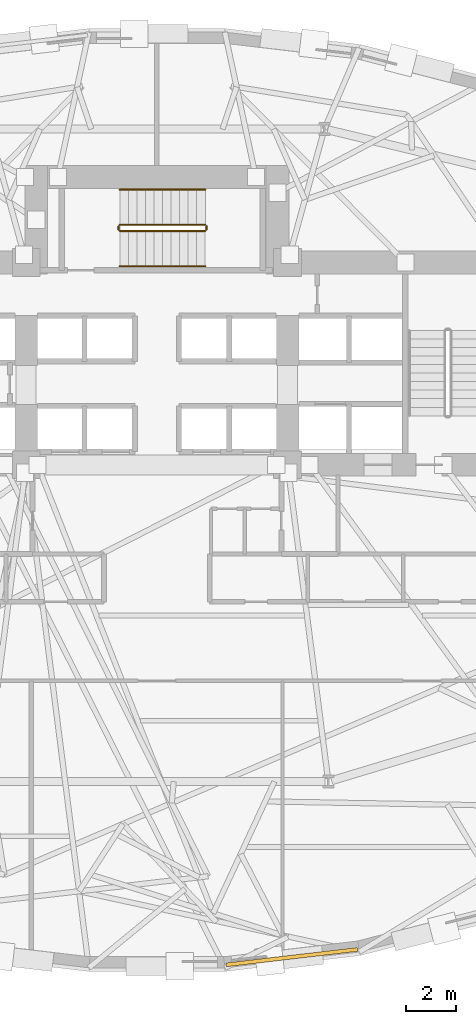
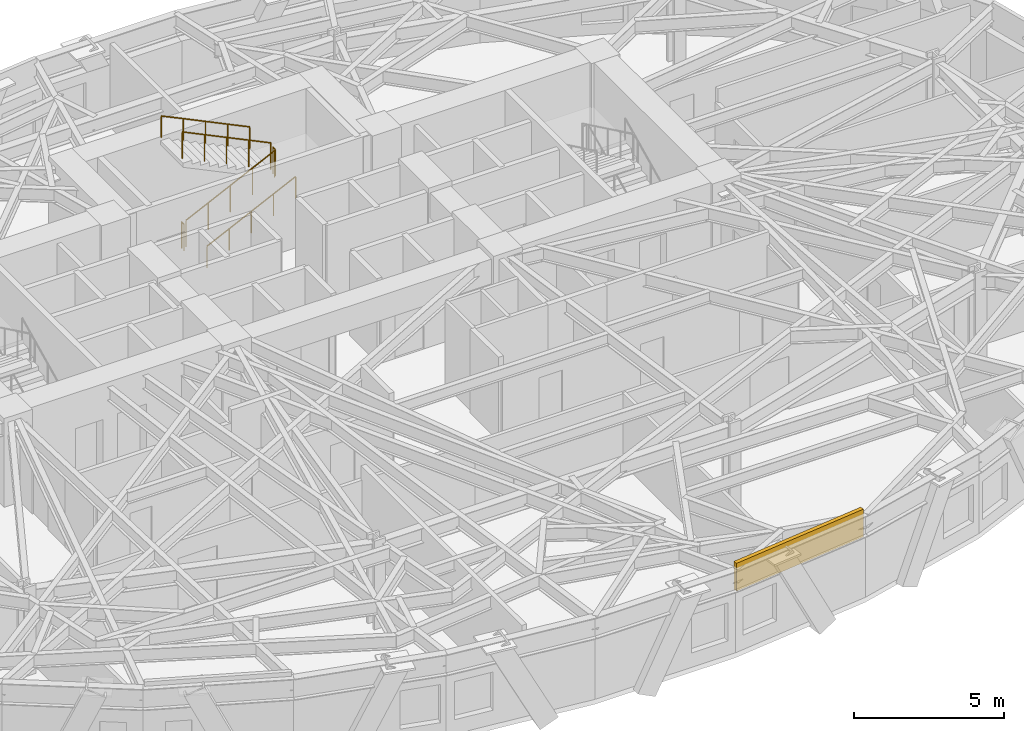
# One storey, part 12 of 14: 6 railings, 1 covering.
"""IFC4 building model written with IfcOpenShell, lengths in metres."""

from ifc_helpers import new_model, si_unit, direction, frame, origin, origin_2d, place, context, subcontext, project, spatial, rectangle, circle, extrude, material, layer, layer_set, type_object, element, save


model = new_model("IFC4")

# Units and contexts
model_context = context("Model", 3, precision=1e-05, world=origin(), true_north=direction((0.0, 1.0)))
body_context = subcontext(model_context, "Body", "Model", "MODEL_VIEW")
ifc_project = project(units=[si_unit("LENGTHUNIT", "METRE"), si_unit("AREAUNIT", "SQUARE_METRE"), si_unit("VOLUMEUNIT", "CUBIC_METRE"), si_unit("PLANEANGLEUNIT", "RADIAN"), si_unit("MASSUNIT", "GRAM", prefix="KILO")], contexts=[model_context])

# Site, building, storey
site_placement = place(None, origin())
site = spatial("IfcSite", under=ifc_project, at=site_placement, CompositionType="ELEMENT")
building_placement = place(site_placement, origin())
building = spatial("IfcBuilding", under=site, at=building_placement, Name="Keldmark Tower", CompositionType="ELEMENT")
storey_placement = place(building_placement, frame((0.0, 0.0, 41.39990234375)))
storey = spatial("IfcBuildingStorey", under=building, at=storey_placement, Name="L10", CompositionType="ELEMENT", Elevation=41.39990234375)

# Covering
ifc_material_1 = material(Name="Honed Kasota Buff Dolomitic Limestone", Category="masonry")
ifc_layer = layer(ifc_material_1, 0.074951171875)
ifc_layer_set = layer_set([ifc_layer], Name="Honed Kasota Buff Dolomitic Limestone")
covering_type = type_object("IfcCoveringType", Name="Kasota Buff Limestone Spandrel Cladding Band", PredefinedType="CLADDING", material=ifc_layer_set)
covering_placement = place(storey_placement, frame((5.36474609375, -18.1875, 2.453125), z_axis=(0.0, 0.0, 1.0), x_axis=(0.993158426362, 0.116774741047, 0.0)))
element("IfcCovering", 1, at=covering_placement, inside=storey, type_object=covering_type, Name="L10 Kasota Limestone Spandrel Band 25", PredefinedType="CLADDING", context=body_context, shape_type="SweptSolid", body=[
    extrude(rectangle(XDim=5.261962890625, YDim=0.14990234375, at=origin_2d()), origin(), (0.0, 0.0, 1.0), 1.126953125),
])

# Railings
ifc_material_2 = material(Name="Painted Steel ASTM A500 Grade B", Category="steel")
railing_type_1 = type_object("IfcRailingType", Name="Painted Steel Stair Well Guard 1100 mm", PredefinedType="GUARDRAIL", material=ifc_material_2)
railing_1_placement = place(storey_placement, frame((-1.47509765625, 10.699951171875, 0.163818359375)))
element("IfcRailing", 2, at=railing_1_placement, inside=storey, type_object=railing_type_1, Name="L10 ST3 stair guard 1", PredefinedType="GUARDRAIL", context=body_context, shape_type="SweptSolid", body=[
    extrude(circle(Radius=0.02392578125, at=origin_2d()), frame((0.0, 0.0, 1.076171875), z_axis=(0.901092505359, 0.0, 0.433626909666), x_axis=(0.0, 1.0, 0.0)), (0.0, 0.0, 1.0), 3.7734375),
    extrude(circle(Radius=0.02099609375, at=origin_2d()), origin(), (0.0, 0.0, 1.0), 1.052001953125),
    extrude(circle(Radius=0.02099609375, at=origin_2d()), frame((0.85009765625, 0.0, 0.4091796875)), (0.0, 0.0, 1.0), 1.052001953125),
    extrude(circle(Radius=0.02099609375, at=origin_2d()), frame((1.7001953125, 0.0, 0.818115234375)), (0.0, 0.0, 1.0), 1.052001953125),
    extrude(circle(Radius=0.02099609375, at=origin_2d()), frame((2.550048828125, 0.0, 1.22705078125)), (0.0, 0.0, 1.0), 1.052001953125),
    extrude(circle(Radius=0.02099609375, at=origin_2d()), frame((3.400146484375, 0.0, 1.63623046875)), (0.0, 0.0, 1.0), 1.052001953125),
])
railing_2_placement = place(storey_placement, frame((1.97509765625, 10.75, 1.800048828125)))
element("IfcRailing", 3, at=railing_2_placement, inside=storey, type_object=railing_type_1, Name="L10 ST3 stair guard 2", PredefinedType="GUARDRAIL", context=body_context, shape_type="SweptSolid", body=[
    extrude(circle(Radius=0.02392578125, at=origin_2d()), frame((0.0, 0.0, 1.076171875), z_axis=(0.0, 1.0, 0.0), x_axis=(-1.0, 0.0, 0.0)), (0.0, 0.0, 1.0), 0.14990234375),
    extrude(circle(Radius=0.02099609375, at=origin_2d()), origin(), (0.0, 0.0, 1.0), 1.052001953125),
    extrude(circle(Radius=0.02099609375, at=origin_2d()), frame((0.0, 0.14990234375, 0.0)), (0.0, 0.0, 1.0), 1.052001953125),
])
railing_3_placement = place(storey_placement, frame((1.925048828125, 10.949951171875, 1.963623046875)))
element("IfcRailing", 4, at=railing_3_placement, inside=storey, type_object=railing_type_1, Name="L10 ST3 stair guard 3", PredefinedType="GUARDRAIL", context=body_context, shape_type="SweptSolid", body=[
    extrude(circle(Radius=0.02392578125, at=origin_2d()), frame((0.0, 0.0, 1.076171875), z_axis=(-0.901067223353, 0.0, 0.433679442675), x_axis=(0.0, -1.0, 0.0)), (0.0, 0.0, 1.0), 3.7734375),
    extrude(circle(Radius=0.02099609375, at=origin_2d()), origin(), (0.0, 0.0, 1.0), 1.052001953125),
    extrude(circle(Radius=0.02099609375, at=origin_2d()), frame((-0.85009765625, 0.0, 0.4091796875)), (0.0, 0.0, 1.0), 1.052001953125),
    extrude(circle(Radius=0.02099609375, at=origin_2d()), frame((-1.7001953125, 0.0, 0.818359375)), (0.0, 0.0, 1.0), 1.052001953125),
    extrude(circle(Radius=0.02099609375, at=origin_2d()), frame((-2.550048828125, 0.0, 1.227294921875)), (0.0, 0.0, 1.0), 1.052001953125),
    extrude(circle(Radius=0.02099609375, at=origin_2d()), frame((-3.400146484375, 0.0, 1.636474609375)), (0.0, 0.0, 1.0), 1.052001953125),
])
railing_4_placement = place(storey_placement, frame((-1.52490234375, 10.75, 0.0)))
element("IfcRailing", 5, at=railing_4_placement, inside=storey, type_object=railing_type_1, Name="L10 ST3 stair guard 4", PredefinedType="GUARDRAIL", context=body_context, shape_type="SweptSolid", body=[
    extrude(circle(Radius=0.02392578125, at=origin_2d()), frame((0.0, 0.0, 1.076171875), z_axis=(0.0, 1.0, 0.0), x_axis=(-1.0, 0.0, 0.0)), (0.0, 0.0, 1.0), 0.14990234375),
    extrude(circle(Radius=0.02099609375, at=origin_2d()), origin(), (0.0, 0.0, 1.0), 1.052001953125),
    extrude(circle(Radius=0.02099609375, at=origin_2d()), frame((0.0, 0.14990234375, 0.0)), (0.0, 0.0, 1.0), 1.052001953125),
])
ifc_material_3 = material(Name="Stainless Steel AISI 316L", Category="steel")
railing_type_2 = type_object("IfcRailingType", Name="Stainless Steel Stair Handrail 900 mm", PredefinedType="HANDRAIL", material=ifc_material_3)
railing_5_placement = place(storey_placement, frame((-1.47509765625, 9.300048828125, 0.163818359375)))
element("IfcRailing", 6, at=railing_5_placement, inside=storey, type_object=railing_type_2, Name="L10 ST3 stair handrail 1", PredefinedType="HANDRAIL", context=body_context, shape_type="SweptSolid", body=[
    extrude(circle(Radius=0.02392578125, at=origin_2d()), frame((0.0, 0.0, 0.8759765625), z_axis=(0.901092505359, 0.0, 0.433626909666), x_axis=(0.0, 1.0, 0.0)), (0.0, 0.0, 1.0), 3.7734375),
    extrude(circle(Radius=0.02099609375, at=origin_2d()), origin(), (0.0, 0.0, 1.0), 0.851806640625),
    extrude(circle(Radius=0.02099609375, at=origin_2d()), frame((0.85009765625, 0.0, 0.4091796875)), (0.0, 0.0, 1.0), 0.851806640625),
    extrude(circle(Radius=0.02099609375, at=origin_2d()), frame((1.7001953125, 0.0, 0.818115234375)), (0.0, 0.0, 1.0), 0.851806640625),
    extrude(circle(Radius=0.02099609375, at=origin_2d()), frame((2.550048828125, 0.0, 1.22705078125)), (0.0, 0.0, 1.0), 0.851806640625),
    extrude(circle(Radius=0.02099609375, at=origin_2d()), frame((3.400146484375, 0.0, 1.63623046875)), (0.0, 0.0, 1.0), 0.851806640625),
])
railing_6_placement = place(storey_placement, frame((1.925048828125, 12.35009765625, 1.963623046875)))
element("IfcRailing", 7, at=railing_6_placement, inside=storey, type_object=railing_type_2, Name="L10 ST3 stair handrail 2", PredefinedType="HANDRAIL", context=body_context, shape_type="SweptSolid", body=[
    extrude(circle(Radius=0.02392578125, at=origin_2d()), frame((0.0, 0.0, 0.8759765625), z_axis=(-0.901067223353, 0.0, 0.433679442675), x_axis=(0.0, -1.0, 0.0)), (0.0, 0.0, 1.0), 3.7734375),
    extrude(circle(Radius=0.02099609375, at=origin_2d()), origin(), (0.0, 0.0, 1.0), 0.851806640625),
    extrude(circle(Radius=0.02099609375, at=origin_2d()), frame((-0.85009765625, 0.0, 0.4091796875)), (0.0, 0.0, 1.0), 0.851806640625),
    extrude(circle(Radius=0.02099609375, at=origin_2d()), frame((-1.7001953125, 0.0, 0.818359375)), (0.0, 0.0, 1.0), 0.851806640625),
    extrude(circle(Radius=0.02099609375, at=origin_2d()), frame((-2.550048828125, 0.0, 1.227294921875)), (0.0, 0.0, 1.0), 0.851806640625),
    extrude(circle(Radius=0.02099609375, at=origin_2d()), frame((-3.400146484375, 0.0, 1.636474609375)), (0.0, 0.0, 1.0), 0.851806640625),
])

save(model, "model.ifc")
